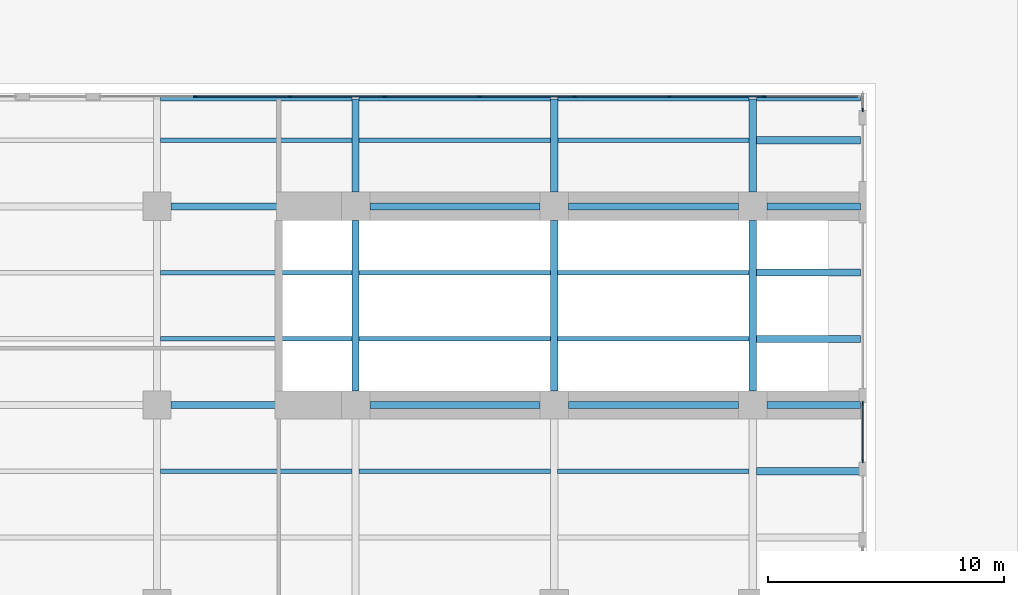
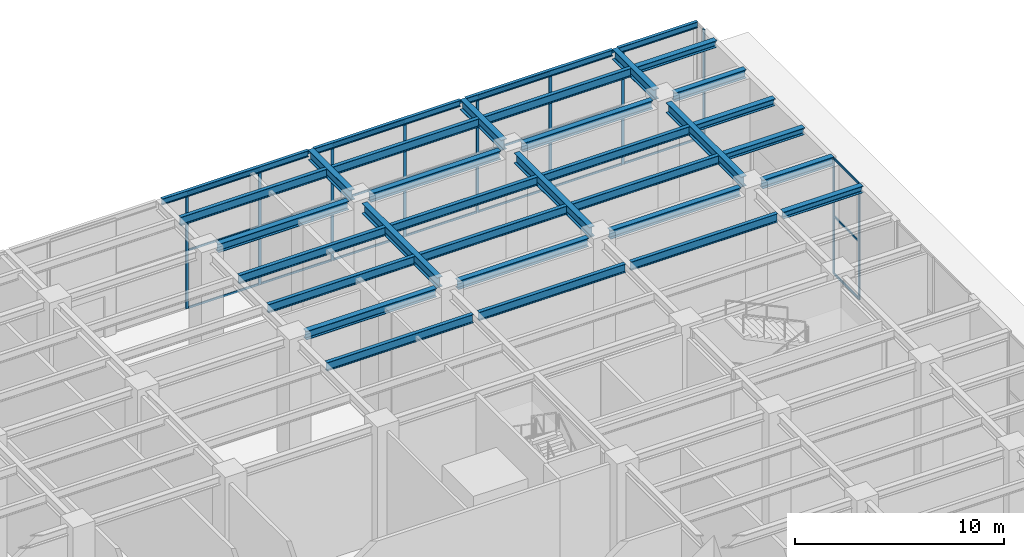
# One storey, part 22 of 43: 34 beams, 32 members, 3 elements without a shape of their own.
"""IFC4 building model written with IfcOpenShell, lengths in metres."""

from ifc_helpers import new_model, si_unit, direction, frame, origin, origin_2d, place, context, subcontext, project, spatial, rectangle, i_section, extrude, material, material_profile, profile_set, type_object, element, aggregate, save


model = new_model("IFC4")

# Units and contexts
model_context = context("Model", 3, precision=1e-05, world=origin(), true_north=direction((0.0, 1.0)))
body_context = subcontext(model_context, "Body", "Model", "MODEL_VIEW")
ifc_project = project(units=[si_unit("LENGTHUNIT", "METRE"), si_unit("AREAUNIT", "SQUARE_METRE"), si_unit("VOLUMEUNIT", "CUBIC_METRE"), si_unit("PLANEANGLEUNIT", "RADIAN"), si_unit("MASSUNIT", "GRAM", prefix="KILO")], contexts=[model_context])

# Site, building, storey
site_placement = place(None, origin())
site = spatial("IfcSite", under=ifc_project, at=site_placement, CompositionType="ELEMENT")
building_placement = place(site_placement, origin())
building = spatial("IfcBuilding", under=site, at=building_placement, Name="Khepri Terraces", CompositionType="ELEMENT")
storey_placement = place(building_placement, origin())
storey = spatial("IfcBuildingStorey", under=building, at=storey_placement, Name="L00", CompositionType="ELEMENT", Elevation=0.0)

# Curtain wall, members
ifc_material_1 = material(Name="Anodised aluminium bronze curtain wall", Category="aluminium")
curtain_wall_type = type_object("IfcCurtainWallType", Name="CW-SYS1-LOBBY", PredefinedType="NOTDEFINED", material=ifc_material_1)
curtain_wall_1_placement = place(storey_placement, origin())
curtain_wall_1 = element("IfcCurtainWall", 1, at=curtain_wall_1_placement, inside=storey, type_object=curtain_wall_type, Name="Curtain wall CW1 L00 E", PredefinedType="NOTDEFINED")
ifc_material_2 = material(Name="Anodised aluminium bronze", Category="aluminium")
ifc_material_profile_1 = material_profile(ifc_material_2, rectangle(XDim=0.06005859375, YDim=0.159912109375, at=origin_2d()), Name="Anodised aluminium bronze", Category="aluminium")
ifc_profile_set_1 = profile_set([ifc_material_profile_1], Name="Anodised aluminium bronze")
member_type_1 = type_object("IfcMemberType", Name="CW-MULLION-60x160", PredefinedType="MULLION", material=ifc_profile_set_1)
member_1_placement = place(storey_placement, frame((46.64990234375, 31.22998046875, 0.0), z_axis=(0.0, 0.0, 1.0), x_axis=(-1.0, 0.0, 0.0)))
member_1 = element("IfcMember", 2, at=member_1_placement, type_object=member_type_1, Name="CW1 mullion 1", PredefinedType="MULLION", context=body_context, shape_type="SweptSolid", body=[
    extrude(rectangle(XDim=0.06005859375, YDim=0.159912109375, at=origin_2d()), origin(), (0.0, 0.0, 1.0), 6.780029296875),
])
member_2_placement = place(storey_placement, frame((46.64990234375, 33.669921875, 0.0), z_axis=(0.0, 0.0, 1.0), x_axis=(-1.0, 0.0, 0.0)))
member_2 = element("IfcMember", 3, at=member_2_placement, type_object=member_type_1, Name="CW1 mullion 2", PredefinedType="MULLION", context=body_context, shape_type="SweptSolid", body=[
    extrude(rectangle(XDim=0.06005859375, YDim=0.159912109375, at=origin_2d()), origin(), (0.0, 0.0, 1.0), 6.780029296875),
])

# Curtain wall, member
curtain_wall_2_placement = place(storey_placement, origin())
curtain_wall_2 = element("IfcCurtainWall", 4, at=curtain_wall_2_placement, inside=storey, type_object=curtain_wall_type, Name="Curtain wall CW1 L00 E", PredefinedType="NOTDEFINED")
member_3_placement = place(storey_placement, frame((46.64990234375, 46.080078125, 0.0), z_axis=(0.0, 0.0, 1.0), x_axis=(-1.0, 0.0, 0.0)))
member_3 = element("IfcMember", 5, at=member_3_placement, type_object=member_type_1, Name="CW1 mullion 1", PredefinedType="MULLION", context=body_context, shape_type="SweptSolid", body=[
    extrude(rectangle(XDim=0.06005859375, YDim=0.159912109375, at=origin_2d()), origin(), (0.0, 0.0, 1.0), 6.780029296875),
])
aggregate(curtain_wall_2, [member_3])

# Curtain wall, members
curtain_wall_3_placement = place(storey_placement, origin())
curtain_wall_3 = element("IfcCurtainWall", 6, at=curtain_wall_3_placement, inside=storey, type_object=curtain_wall_type, Name="Curtain wall CW1 L00 N", PredefinedType="NOTDEFINED")
member_4_placement = place(storey_placement, frame((42.487548828125, 46.64990234375, 0.0), z_axis=(0.0, 0.0, 1.0), x_axis=(0.0, -1.0, 0.0)))
member_4 = element("IfcMember", 7, at=member_4_placement, type_object=member_type_1, Name="CW1 mullion 2", PredefinedType="MULLION", context=body_context, shape_type="SweptSolid", body=[
    extrude(rectangle(XDim=0.06005859375, YDim=0.159912109375, at=origin_2d()), origin(), (0.0, 0.0, 1.0), 6.780029296875),
])
member_5_placement = place(storey_placement, frame((38.47509765625, 46.64990234375, 0.0), z_axis=(0.0, 0.0, 1.0), x_axis=(0.0, -1.0, 0.0)))
member_5 = element("IfcMember", 8, at=member_5_placement, type_object=member_type_1, Name="CW1 mullion 3", PredefinedType="MULLION", context=body_context, shape_type="SweptSolid", body=[
    extrude(rectangle(XDim=0.06005859375, YDim=0.159912109375, at=origin_2d()), origin(), (0.0, 0.0, 1.0), 6.780029296875),
])
member_6_placement = place(storey_placement, frame((34.46240234375, 46.64990234375, 0.0), z_axis=(0.0, 0.0, 1.0), x_axis=(0.0, -1.0, 0.0)))
member_6 = element("IfcMember", 9, at=member_6_placement, type_object=member_type_1, Name="CW1 mullion 4", PredefinedType="MULLION", context=body_context, shape_type="SweptSolid", body=[
    extrude(rectangle(XDim=0.06005859375, YDim=0.159912109375, at=origin_2d()), origin(), (0.0, 0.0, 1.0), 6.780029296875),
])
member_7_placement = place(storey_placement, frame((30.449951171875, 46.64990234375, 0.0), z_axis=(0.0, 0.0, 1.0), x_axis=(0.0, -1.0, 0.0)))
member_7 = element("IfcMember", 10, at=member_7_placement, type_object=member_type_1, Name="CW1 mullion 5", PredefinedType="MULLION", context=body_context, shape_type="SweptSolid", body=[
    extrude(rectangle(XDim=0.06005859375, YDim=0.159912109375, at=origin_2d()), origin(), (0.0, 0.0, 1.0), 6.780029296875),
])
member_8_placement = place(storey_placement, frame((26.4375, 46.64990234375, 0.0), z_axis=(0.0, 0.0, 1.0), x_axis=(0.0, -1.0, 0.0)))
member_8 = element("IfcMember", 11, at=member_8_placement, type_object=member_type_1, Name="CW1 mullion 6", PredefinedType="MULLION", context=body_context, shape_type="SweptSolid", body=[
    extrude(rectangle(XDim=0.06005859375, YDim=0.159912109375, at=origin_2d()), origin(), (0.0, 0.0, 1.0), 6.780029296875),
])
member_9_placement = place(storey_placement, frame((22.425048828125, 46.64990234375, 0.0), z_axis=(0.0, 0.0, 1.0), x_axis=(0.0, -1.0, 0.0)))
member_9 = element("IfcMember", 12, at=member_9_placement, type_object=member_type_1, Name="CW1 mullion 7", PredefinedType="MULLION", context=body_context, shape_type="SweptSolid", body=[
    extrude(rectangle(XDim=0.06005859375, YDim=0.159912109375, at=origin_2d()), origin(), (0.0, 0.0, 1.0), 6.780029296875),
])
member_10_placement = place(storey_placement, frame((18.41259765625, 46.64990234375, 0.0), z_axis=(0.0, 0.0, 1.0), x_axis=(0.0, -1.0, 0.0)))
member_10 = element("IfcMember", 13, at=member_10_placement, type_object=member_type_1, Name="CW1 mullion 8", PredefinedType="MULLION", context=body_context, shape_type="SweptSolid", body=[
    extrude(rectangle(XDim=0.06005859375, YDim=0.159912109375, at=origin_2d()), origin(), (0.0, 0.0, 1.0), 6.780029296875),
])

# Member
ifc_material_profile_2 = material_profile(ifc_material_2, rectangle(XDim=0.06005859375, YDim=0.1201171875, at=origin_2d()), Name="Anodised aluminium bronze", Category="aluminium")
ifc_profile_set_2 = profile_set([ifc_material_profile_2], Name="Anodised aluminium bronze")
member_type_2 = type_object("IfcMemberType", Name="CW-TRANSOM-60x120", PredefinedType="USERDEFINED", material=ifc_profile_set_2)
member_11_placement = place(storey_placement, frame((46.64990234375, 31.260009765625, 0.030029296875), z_axis=(0.0, 1.0, 0.0), x_axis=(-1.0, 0.0, 0.0)))
member_11 = element("IfcMember", 14, at=member_11_placement, type_object=member_type_2, Name="CW1 transom 1.1", ObjectType="TRANSOM", PredefinedType="USERDEFINED", context=body_context, shape_type="SweptSolid", body=[
    extrude(rectangle(XDim=0.06005859375, YDim=0.1201171875, at=origin_2d()), origin(), (0.0, 0.0, 1.0), 2.3798828125),
])

member_12_placement = place(storey_placement, frame((46.64990234375, 31.260009765625, 3.389892578125), z_axis=(0.0, 1.0, 0.0), x_axis=(-1.0, 0.0, 0.0)))
member_12 = element("IfcMember", 15, at=member_12_placement, type_object=member_type_2, Name="CW1 transom 1.2", ObjectType="TRANSOM", PredefinedType="USERDEFINED", context=body_context, shape_type="SweptSolid", body=[
    extrude(rectangle(XDim=0.06005859375, YDim=0.1201171875, at=origin_2d()), origin(), (0.0, 0.0, 1.0), 2.3798828125),
])

member_13_placement = place(storey_placement, frame((46.64990234375, 31.260009765625, 6.75), z_axis=(0.0, 1.0, 0.0), x_axis=(-1.0, 0.0, 0.0)))
member_13 = element("IfcMember", 16, at=member_13_placement, type_object=member_type_2, Name="CW1 transom 1.3", ObjectType="TRANSOM", PredefinedType="USERDEFINED", context=body_context, shape_type="SweptSolid", body=[
    extrude(rectangle(XDim=0.06005859375, YDim=0.1201171875, at=origin_2d()), origin(), (0.0, 0.0, 1.0), 2.3798828125),
])

aggregate(curtain_wall_1, [member_1, member_2, member_11, member_12, member_13])

member_14_placement = place(storey_placement, frame((46.43994140625, 46.64990234375, 0.030029296875), z_axis=(-1.0, 0.0, 0.0), x_axis=(0.0, -1.0, 0.0)))
member_14 = element("IfcMember", 17, at=member_14_placement, type_object=member_type_2, Name="CW1 transom 1.1", ObjectType="TRANSOM", PredefinedType="USERDEFINED", context=body_context, shape_type="SweptSolid", body=[
    extrude(rectangle(XDim=0.06005859375, YDim=0.1201171875, at=origin_2d()), origin(), (0.0, 0.0, 1.0), 3.92236328125),
])

member_15_placement = place(storey_placement, frame((42.45751953125, 46.64990234375, 0.030029296875), z_axis=(-1.0, 0.0, 0.0), x_axis=(0.0, -1.0, 0.0)))
member_15 = element("IfcMember", 18, at=member_15_placement, type_object=member_type_2, Name="CW1 transom 2.1", ObjectType="TRANSOM", PredefinedType="USERDEFINED", context=body_context, shape_type="SweptSolid", body=[
    extrude(rectangle(XDim=0.06005859375, YDim=0.1201171875, at=origin_2d()), origin(), (0.0, 0.0, 1.0), 3.95263671875),
])

member_16_placement = place(storey_placement, frame((42.45751953125, 46.64990234375, 3.389892578125), z_axis=(-1.0, 0.0, 0.0), x_axis=(0.0, -1.0, 0.0)))
member_16 = element("IfcMember", 19, at=member_16_placement, type_object=member_type_2, Name="CW1 transom 2.2", ObjectType="TRANSOM", PredefinedType="USERDEFINED", context=body_context, shape_type="SweptSolid", body=[
    extrude(rectangle(XDim=0.06005859375, YDim=0.1201171875, at=origin_2d()), origin(), (0.0, 0.0, 1.0), 3.95263671875),
])

member_17_placement = place(storey_placement, frame((42.45751953125, 46.64990234375, 6.75), z_axis=(-1.0, 0.0, 0.0), x_axis=(0.0, -1.0, 0.0)))
member_17 = element("IfcMember", 20, at=member_17_placement, type_object=member_type_2, Name="CW1 transom 2.3", ObjectType="TRANSOM", PredefinedType="USERDEFINED", context=body_context, shape_type="SweptSolid", body=[
    extrude(rectangle(XDim=0.06005859375, YDim=0.1201171875, at=origin_2d()), origin(), (0.0, 0.0, 1.0), 3.95263671875),
])

member_18_placement = place(storey_placement, frame((38.445068359375, 46.64990234375, 0.030029296875), z_axis=(-1.0, 0.0, 0.0), x_axis=(0.0, -1.0, 0.0)))
member_18 = element("IfcMember", 21, at=member_18_placement, type_object=member_type_2, Name="CW1 transom 3.1", ObjectType="TRANSOM", PredefinedType="USERDEFINED", context=body_context, shape_type="SweptSolid", body=[
    extrude(rectangle(XDim=0.06005859375, YDim=0.1201171875, at=origin_2d()), origin(), (0.0, 0.0, 1.0), 3.95263671875),
])

member_19_placement = place(storey_placement, frame((38.445068359375, 46.64990234375, 3.389892578125), z_axis=(-1.0, 0.0, 0.0), x_axis=(0.0, -1.0, 0.0)))
member_19 = element("IfcMember", 22, at=member_19_placement, type_object=member_type_2, Name="CW1 transom 3.2", ObjectType="TRANSOM", PredefinedType="USERDEFINED", context=body_context, shape_type="SweptSolid", body=[
    extrude(rectangle(XDim=0.06005859375, YDim=0.1201171875, at=origin_2d()), origin(), (0.0, 0.0, 1.0), 3.95263671875),
])

member_20_placement = place(storey_placement, frame((38.445068359375, 46.64990234375, 6.75), z_axis=(-1.0, 0.0, 0.0), x_axis=(0.0, -1.0, 0.0)))
member_20 = element("IfcMember", 23, at=member_20_placement, type_object=member_type_2, Name="CW1 transom 3.3", ObjectType="TRANSOM", PredefinedType="USERDEFINED", context=body_context, shape_type="SweptSolid", body=[
    extrude(rectangle(XDim=0.06005859375, YDim=0.1201171875, at=origin_2d()), origin(), (0.0, 0.0, 1.0), 3.95263671875),
])

member_21_placement = place(storey_placement, frame((34.4326171875, 46.64990234375, 0.030029296875), z_axis=(-1.0, 0.0, 0.0), x_axis=(0.0, -1.0, 0.0)))
member_21 = element("IfcMember", 24, at=member_21_placement, type_object=member_type_2, Name="CW1 transom 4.1", ObjectType="TRANSOM", PredefinedType="USERDEFINED", context=body_context, shape_type="SweptSolid", body=[
    extrude(rectangle(XDim=0.06005859375, YDim=0.1201171875, at=origin_2d()), origin(), (0.0, 0.0, 1.0), 3.95263671875),
])

member_22_placement = place(storey_placement, frame((34.4326171875, 46.64990234375, 3.389892578125), z_axis=(-1.0, 0.0, 0.0), x_axis=(0.0, -1.0, 0.0)))
member_22 = element("IfcMember", 25, at=member_22_placement, type_object=member_type_2, Name="CW1 transom 4.2", ObjectType="TRANSOM", PredefinedType="USERDEFINED", context=body_context, shape_type="SweptSolid", body=[
    extrude(rectangle(XDim=0.06005859375, YDim=0.1201171875, at=origin_2d()), origin(), (0.0, 0.0, 1.0), 3.95263671875),
])

member_23_placement = place(storey_placement, frame((34.4326171875, 46.64990234375, 6.75), z_axis=(-1.0, 0.0, 0.0), x_axis=(0.0, -1.0, 0.0)))
member_23 = element("IfcMember", 26, at=member_23_placement, type_object=member_type_2, Name="CW1 transom 4.3", ObjectType="TRANSOM", PredefinedType="USERDEFINED", context=body_context, shape_type="SweptSolid", body=[
    extrude(rectangle(XDim=0.06005859375, YDim=0.1201171875, at=origin_2d()), origin(), (0.0, 0.0, 1.0), 3.95263671875),
])

member_24_placement = place(storey_placement, frame((30.419921875, 46.64990234375, 0.030029296875), z_axis=(-1.0, 0.0, 0.0), x_axis=(0.0, -1.0, 0.0)))
member_24 = element("IfcMember", 27, at=member_24_placement, type_object=member_type_2, Name="CW1 transom 5.1", ObjectType="TRANSOM", PredefinedType="USERDEFINED", context=body_context, shape_type="SweptSolid", body=[
    extrude(rectangle(XDim=0.06005859375, YDim=0.1201171875, at=origin_2d()), origin(), (0.0, 0.0, 1.0), 3.952392578125),
])

member_25_placement = place(storey_placement, frame((30.419921875, 46.64990234375, 3.389892578125), z_axis=(-1.0, 0.0, 0.0), x_axis=(0.0, -1.0, 0.0)))
member_25 = element("IfcMember", 28, at=member_25_placement, type_object=member_type_2, Name="CW1 transom 5.2", ObjectType="TRANSOM", PredefinedType="USERDEFINED", context=body_context, shape_type="SweptSolid", body=[
    extrude(rectangle(XDim=0.06005859375, YDim=0.1201171875, at=origin_2d()), origin(), (0.0, 0.0, 1.0), 3.952392578125),
])

member_26_placement = place(storey_placement, frame((30.419921875, 46.64990234375, 6.75), z_axis=(-1.0, 0.0, 0.0), x_axis=(0.0, -1.0, 0.0)))
member_26 = element("IfcMember", 29, at=member_26_placement, type_object=member_type_2, Name="CW1 transom 5.3", ObjectType="TRANSOM", PredefinedType="USERDEFINED", context=body_context, shape_type="SweptSolid", body=[
    extrude(rectangle(XDim=0.06005859375, YDim=0.1201171875, at=origin_2d()), origin(), (0.0, 0.0, 1.0), 3.952392578125),
])

member_27_placement = place(storey_placement, frame((26.407470703125, 46.64990234375, 0.030029296875), z_axis=(-1.0, 0.0, 0.0), x_axis=(0.0, -1.0, 0.0)))
member_27 = element("IfcMember", 30, at=member_27_placement, type_object=member_type_2, Name="CW1 transom 6.1", ObjectType="TRANSOM", PredefinedType="USERDEFINED", context=body_context, shape_type="SweptSolid", body=[
    extrude(rectangle(XDim=0.06005859375, YDim=0.1201171875, at=origin_2d()), origin(), (0.0, 0.0, 1.0), 3.952392578125),
])

member_28_placement = place(storey_placement, frame((26.407470703125, 46.64990234375, 3.389892578125), z_axis=(-1.0, 0.0, 0.0), x_axis=(0.0, -1.0, 0.0)))
member_28 = element("IfcMember", 31, at=member_28_placement, type_object=member_type_2, Name="CW1 transom 6.2", ObjectType="TRANSOM", PredefinedType="USERDEFINED", context=body_context, shape_type="SweptSolid", body=[
    extrude(rectangle(XDim=0.06005859375, YDim=0.1201171875, at=origin_2d()), origin(), (0.0, 0.0, 1.0), 3.952392578125),
])

member_29_placement = place(storey_placement, frame((26.407470703125, 46.64990234375, 6.75), z_axis=(-1.0, 0.0, 0.0), x_axis=(0.0, -1.0, 0.0)))
member_29 = element("IfcMember", 32, at=member_29_placement, type_object=member_type_2, Name="CW1 transom 6.3", ObjectType="TRANSOM", PredefinedType="USERDEFINED", context=body_context, shape_type="SweptSolid", body=[
    extrude(rectangle(XDim=0.06005859375, YDim=0.1201171875, at=origin_2d()), origin(), (0.0, 0.0, 1.0), 3.952392578125),
])

member_30_placement = place(storey_placement, frame((22.39501953125, 46.64990234375, 0.030029296875), z_axis=(-1.0, 0.0, 0.0), x_axis=(0.0, -1.0, 0.0)))
member_30 = element("IfcMember", 33, at=member_30_placement, type_object=member_type_2, Name="CW1 transom 7.1", ObjectType="TRANSOM", PredefinedType="USERDEFINED", context=body_context, shape_type="SweptSolid", body=[
    extrude(rectangle(XDim=0.06005859375, YDim=0.1201171875, at=origin_2d()), origin(), (0.0, 0.0, 1.0), 3.95263671875),
])

member_31_placement = place(storey_placement, frame((22.39501953125, 46.64990234375, 3.389892578125), z_axis=(-1.0, 0.0, 0.0), x_axis=(0.0, -1.0, 0.0)))
member_31 = element("IfcMember", 34, at=member_31_placement, type_object=member_type_2, Name="CW1 transom 7.2", ObjectType="TRANSOM", PredefinedType="USERDEFINED", context=body_context, shape_type="SweptSolid", body=[
    extrude(rectangle(XDim=0.06005859375, YDim=0.1201171875, at=origin_2d()), origin(), (0.0, 0.0, 1.0), 3.95263671875),
])

member_32_placement = place(storey_placement, frame((22.39501953125, 46.64990234375, 6.75), z_axis=(-1.0, 0.0, 0.0), x_axis=(0.0, -1.0, 0.0)))
member_32 = element("IfcMember", 35, at=member_32_placement, type_object=member_type_2, Name="CW1 transom 7.3", ObjectType="TRANSOM", PredefinedType="USERDEFINED", context=body_context, shape_type="SweptSolid", body=[
    extrude(rectangle(XDim=0.06005859375, YDim=0.1201171875, at=origin_2d()), origin(), (0.0, 0.0, 1.0), 3.95263671875),
])

aggregate(curtain_wall_3, [member_4, member_5, member_6, member_7, member_8, member_9, member_10, member_14, member_15, member_16, member_17, member_18, member_19, member_20, member_21, member_22, member_23, member_24, member_25, member_26, member_27, member_28, member_29, member_30, member_31, member_32])

# Beams
ifc_material_3 = material(Name="Steel S355", Category="steel")
ifc_material_profile_3 = material_profile(ifc_material_3, i_section(OverallWidth=0.169921875, OverallDepth=0.360107421875, WebThickness=0.008056640625, FlangeThickness=0.0126953125, FilletRadius=0.01806640625, at=origin_2d()), Name="Steel S355", Category="steel")
ifc_profile_set_3 = profile_set([ifc_material_profile_3], Name="Steel S355")
beam_type_1 = type_object("IfcBeamType", Name="Podium cantilever edge beam L01 IPE 360", PredefinedType="SPANDREL", material=ifc_profile_set_3)
beam_1_placement = place(storey_placement, frame((42.14990234375, 46.550048828125, 6.820068359375), z_axis=(1.0, 0.0, 0.0), x_axis=(0.0, 1.0, 0.0)))
element("IfcBeam", 36, at=beam_1_placement, inside=storey, type_object=beam_type_1, Name="Podium edge beam L01 024", PredefinedType="SPANDREL", context=body_context, shape_type="SweptSolid", body=[
    extrude(i_section(OverallWidth=0.169921875, OverallDepth=0.360107421875, WebThickness=0.008056640625, FlangeThickness=0.0126953125, FilletRadius=0.01806640625, at=origin_2d()), origin(), (0.0, 0.0, 1.0), 4.400146484375),
])
ifc_material_profile_4 = material_profile(ifc_material_3, i_section(OverallWidth=0.300048828125, OverallDepth=0.60009765625, WebThickness=0.015380859375, FlangeThickness=0.030029296875, FilletRadius=0.027099609375, at=origin_2d()), Name="Steel S355", Category="steel")
ifc_profile_set_4 = profile_set([ifc_material_profile_4], Name="Steel S355")
beam_type_2 = type_object("IfcBeamType", Name="Podium cantilever girder L01 HEB 600", PredefinedType="BEAM", material=ifc_profile_set_4)
for number, where, z_axis, x_axis, name in (
    (37, (25.199951171875, 42.60009765625, 6.699951171875), (0.0, 1.0, 0.0), (-1.0, 0.0, 0.0), "Podium girder L01 074"),
    (38, (33.60009765625, 42.60009765625, 6.699951171875), (0.0, 1.0, 0.0), (-1.0, 0.0, 0.0), "Podium girder L01 086"),
    (39, (42.0, 42.60009765625, 6.699951171875), (0.0, 1.0, 0.0), (-1.0, 0.0, 0.0), "Podium girder L01 098"),
):
    element("IfcBeam", number, at=place(storey_placement, frame(where, z_axis=z_axis, x_axis=x_axis)), inside=storey, type_object=beam_type_2, Name=name, PredefinedType="BEAM", context=body_context, shape_type="SweptSolid", body=[
        extrude(i_section(OverallWidth=0.300048828125, OverallDepth=0.60009765625, WebThickness=0.015380859375, FlangeThickness=0.030029296875, FilletRadius=0.027099609375, at=origin_2d()), origin(), (0.0, 0.0, 1.0), 3.949951171875),
    ])
ifc_material_profile_5 = material_profile(ifc_material_3, i_section(OverallWidth=0.300048828125, OverallDepth=0.39990234375, WebThickness=0.013427734375, FlangeThickness=0.02392578125, FilletRadius=0.027099609375, at=origin_2d()), Name="Steel S355", Category="steel")
ifc_profile_set_5 = profile_set([ifc_material_profile_5], Name="Steel S355")
beam_type_3 = type_object("IfcBeamType", Name="Podium cantilever joist L01 HEB 400", PredefinedType="JOIST", material=ifc_profile_set_5)
for number, where, z_axis, x_axis, name in (
    (40, (42.14990234375, 30.800048828125, 6.800048828125), (1.0, 0.0, 0.0), (0.0, 1.0, 0.0), "Podium cantilever joist L01 218"),
    (41, (42.14990234375, 36.39990234375, 6.800048828125), (1.0, 0.0, 0.0), (0.0, 1.0, 0.0), "Podium cantilever joist L01 242"),
    (42, (42.14990234375, 39.199951171875, 6.800048828125), (1.0, 0.0, 0.0), (0.0, 1.0, 0.0), "Podium cantilever joist L01 254"),
    (43, (42.14990234375, 44.800048828125, 6.800048828125), (1.0, 0.0, 0.0), (0.0, 1.0, 0.0), "Podium cantilever joist L01 278"),
):
    element("IfcBeam", number, at=place(storey_placement, frame(where, z_axis=z_axis, x_axis=x_axis)), inside=storey, type_object=beam_type_3, Name=name, PredefinedType="JOIST", context=body_context, shape_type="SweptSolid", body=[
        extrude(i_section(OverallWidth=0.300048828125, OverallDepth=0.39990234375, WebThickness=0.013427734375, FlangeThickness=0.02392578125, FilletRadius=0.027099609375, at=origin_2d()), origin(), (0.0, 0.0, 1.0), 4.400146484375),
    ])
ifc_material_profile_6 = material_profile(ifc_material_3, i_section(OverallWidth=0.169921875, OverallDepth=0.360107421875, WebThickness=0.008056640625, FlangeThickness=0.0126953125, FilletRadius=0.01806640625, at=origin_2d()), Name="Steel S355", Category="steel")
ifc_profile_set_6 = profile_set([ifc_material_profile_6], Name="Steel S355")
beam_type_4 = type_object("IfcBeamType", Name="Podium edge beam L01 IPE 360", PredefinedType="SPANDREL", material=ifc_profile_set_6)
beam_2_placement = place(storey_placement, frame((16.949951171875, 46.550048828125, 6.820068359375), z_axis=(1.0, 0.0, 0.0), x_axis=(0.0, 1.0, 0.0)))
element("IfcBeam", 44, at=beam_2_placement, inside=storey, type_object=beam_type_4, Name="Podium edge beam L01 021", PredefinedType="SPANDREL", context=body_context, shape_type="SweptSolid", body=[
    extrude(i_section(OverallWidth=0.169921875, OverallDepth=0.360107421875, WebThickness=0.008056640625, FlangeThickness=0.0126953125, FilletRadius=0.01806640625, at=origin_2d()), origin(), (0.0, 0.0, 1.0), 8.10009765625),
])
beam_3_placement = place(storey_placement, frame((25.35009765625, 46.550048828125, 6.820068359375), z_axis=(1.0, 0.0, 0.0), x_axis=(0.0, 1.0, 0.0)))
element("IfcBeam", 45, at=beam_3_placement, inside=storey, type_object=beam_type_4, Name="Podium edge beam L01 022", PredefinedType="SPANDREL", context=body_context, shape_type="SweptSolid", body=[
    extrude(i_section(OverallWidth=0.169921875, OverallDepth=0.360107421875, WebThickness=0.008056640625, FlangeThickness=0.0126953125, FilletRadius=0.01806640625, at=origin_2d()), origin(), (0.0, 0.0, 1.0), 8.099853515625),
])
beam_4_placement = place(storey_placement, frame((33.75, 46.550048828125, 6.820068359375), z_axis=(1.0, 0.0, 0.0), x_axis=(0.0, 1.0, 0.0)))
element("IfcBeam", 46, at=beam_4_placement, inside=storey, type_object=beam_type_4, Name="Podium edge beam L01 023", PredefinedType="SPANDREL", context=body_context, shape_type="SweptSolid", body=[
    extrude(i_section(OverallWidth=0.169921875, OverallDepth=0.360107421875, WebThickness=0.008056640625, FlangeThickness=0.0126953125, FilletRadius=0.01806640625, at=origin_2d()), origin(), (0.0, 0.0, 1.0), 8.10009765625),
])
ifc_material_profile_7 = material_profile(ifc_material_3, i_section(OverallWidth=0.300048828125, OverallDepth=0.60009765625, WebThickness=0.015380859375, FlangeThickness=0.030029296875, FilletRadius=0.027099609375, at=origin_2d()), Name="Steel S355", Category="steel")
ifc_profile_set_7 = profile_set([ifc_material_profile_7], Name="Steel S355")
beam_type_5 = type_object("IfcBeamType", Name="Podium girder L01 HEB 600", PredefinedType="BEAM", material=ifc_profile_set_7)
for number, where, z_axis, x_axis, name in (
    (47, (25.199951171875, 34.199951171875, 6.699951171875), (0.0, 1.0, 0.0), (-1.0, 0.0, 0.0), "Podium girder L01 073"),
    (48, (33.60009765625, 34.199951171875, 6.699951171875), (0.0, 1.0, 0.0), (-1.0, 0.0, 0.0), "Podium girder L01 085"),
    (49, (42.0, 34.199951171875, 6.699951171875), (0.0, 1.0, 0.0), (-1.0, 0.0, 0.0), "Podium girder L01 097"),
):
    element("IfcBeam", number, at=place(storey_placement, frame(where, z_axis=z_axis, x_axis=x_axis)), inside=storey, type_object=beam_type_5, Name=name, PredefinedType="BEAM", context=body_context, shape_type="SweptSolid", body=[
        extrude(i_section(OverallWidth=0.300048828125, OverallDepth=0.60009765625, WebThickness=0.015380859375, FlangeThickness=0.030029296875, FilletRadius=0.027099609375, at=origin_2d()), origin(), (0.0, 0.0, 1.0), 7.199951171875),
    ])
ifc_material_profile_8 = material_profile(ifc_material_3, i_section(OverallWidth=0.300048828125, OverallDepth=0.5, WebThickness=0.014404296875, FlangeThickness=0.028076171875, FilletRadius=0.027099609375, at=origin_2d()), Name="Steel S355", Category="steel")
ifc_profile_set_8 = profile_set([ifc_material_profile_8], Name="Steel S355")
beam_type_6 = type_object("IfcBeamType", Name="Podium girder L01 grid line HEB 500", PredefinedType="BEAM", material=ifc_profile_set_8)
beam_5_placement = place(storey_placement, frame((17.39990234375, 33.60009765625, 6.75), z_axis=(1.0, 0.0, 0.0), x_axis=(0.0, 1.0, 0.0)))
element("IfcBeam", 50, at=beam_5_placement, inside=storey, type_object=beam_type_6, Name="Podium grid-line girder L01 227", PredefinedType="BEAM", context=body_context, shape_type="SweptSolid", body=[
    extrude(i_section(OverallWidth=0.300048828125, OverallDepth=0.5, WebThickness=0.014404296875, FlangeThickness=0.028076171875, FilletRadius=0.027099609375, at=origin_2d()), origin(), (0.0, 0.0, 1.0), 7.2001953125),
])
for number, where, z_axis, x_axis, name in (
    (51, (25.800048828125, 33.60009765625, 6.75), (1.0, 0.0, 0.0), (0.0, 1.0, 0.0), "Podium grid-line girder L01 228"),
    (52, (34.199951171875, 33.60009765625, 6.75), (1.0, 0.0, 0.0), (0.0, 1.0, 0.0), "Podium grid-line girder L01 229"),
):
    element("IfcBeam", number, at=place(storey_placement, frame(where, z_axis=z_axis, x_axis=x_axis)), inside=storey, type_object=beam_type_6, Name=name, PredefinedType="BEAM", context=body_context, shape_type="SweptSolid", body=[
        extrude(i_section(OverallWidth=0.300048828125, OverallDepth=0.5, WebThickness=0.014404296875, FlangeThickness=0.028076171875, FilletRadius=0.027099609375, at=origin_2d()), origin(), (0.0, 0.0, 1.0), 7.199951171875),
    ])
beam_6_placement = place(storey_placement, frame((42.60009765625, 33.60009765625, 6.75), z_axis=(1.0, 0.0, 0.0), x_axis=(0.0, 1.0, 0.0)))
element("IfcBeam", 53, at=beam_6_placement, inside=storey, type_object=beam_type_6, Name="Podium grid-line girder L01 230", PredefinedType="BEAM", context=body_context, shape_type="SweptSolid", body=[
    extrude(i_section(OverallWidth=0.300048828125, OverallDepth=0.5, WebThickness=0.014404296875, FlangeThickness=0.028076171875, FilletRadius=0.027099609375, at=origin_2d()), origin(), (0.0, 0.0, 1.0), 3.949951171875),
])
beam_7_placement = place(storey_placement, frame((17.39990234375, 42.0, 6.75), z_axis=(1.0, 0.0, 0.0), x_axis=(0.0, 1.0, 0.0)))
element("IfcBeam", 54, at=beam_7_placement, inside=storey, type_object=beam_type_6, Name="Podium grid-line girder L01 263", PredefinedType="BEAM", context=body_context, shape_type="SweptSolid", body=[
    extrude(i_section(OverallWidth=0.300048828125, OverallDepth=0.5, WebThickness=0.014404296875, FlangeThickness=0.028076171875, FilletRadius=0.027099609375, at=origin_2d()), origin(), (0.0, 0.0, 1.0), 7.2001953125),
])
for number, where, z_axis, x_axis, name in (
    (55, (25.800048828125, 42.0, 6.75), (1.0, 0.0, 0.0), (0.0, 1.0, 0.0), "Podium grid-line girder L01 264"),
    (56, (34.199951171875, 42.0, 6.75), (1.0, 0.0, 0.0), (0.0, 1.0, 0.0), "Podium grid-line girder L01 265"),
):
    element("IfcBeam", number, at=place(storey_placement, frame(where, z_axis=z_axis, x_axis=x_axis)), inside=storey, type_object=beam_type_6, Name=name, PredefinedType="BEAM", context=body_context, shape_type="SweptSolid", body=[
        extrude(i_section(OverallWidth=0.300048828125, OverallDepth=0.5, WebThickness=0.014404296875, FlangeThickness=0.028076171875, FilletRadius=0.027099609375, at=origin_2d()), origin(), (0.0, 0.0, 1.0), 7.199951171875),
    ])
beam_8_placement = place(storey_placement, frame((42.60009765625, 42.0, 6.75), z_axis=(1.0, 0.0, 0.0), x_axis=(0.0, 1.0, 0.0)))
element("IfcBeam", 57, at=beam_8_placement, inside=storey, type_object=beam_type_6, Name="Podium grid-line girder L01 266", PredefinedType="BEAM", context=body_context, shape_type="SweptSolid", body=[
    extrude(i_section(OverallWidth=0.300048828125, OverallDepth=0.5, WebThickness=0.014404296875, FlangeThickness=0.028076171875, FilletRadius=0.027099609375, at=origin_2d()), origin(), (0.0, 0.0, 1.0), 3.949951171875),
])
ifc_material_profile_9 = material_profile(ifc_material_3, i_section(OverallWidth=0.199951171875, OverallDepth=0.5, WebThickness=0.01025390625, FlangeThickness=0.01611328125, FilletRadius=0.02099609375, at=origin_2d()), Name="Steel S355", Category="steel")
ifc_profile_set_9 = profile_set([ifc_material_profile_9], Name="Steel S355")
beam_type_7 = type_object("IfcBeamType", Name="Podium joist L01 IPE 500", PredefinedType="JOIST", material=ifc_profile_set_9)
beam_9_placement = place(storey_placement, frame((16.949951171875, 30.800048828125, 6.75), z_axis=(1.0, 0.0, 0.0), x_axis=(0.0, 1.0, 0.0)))
element("IfcBeam", 58, at=beam_9_placement, inside=storey, type_object=beam_type_7, Name="Podium joist L01 215", PredefinedType="JOIST", context=body_context, shape_type="SweptSolid", body=[
    extrude(i_section(OverallWidth=0.199951171875, OverallDepth=0.5, WebThickness=0.01025390625, FlangeThickness=0.01611328125, FilletRadius=0.02099609375, at=origin_2d()), origin(), (0.0, 0.0, 1.0), 8.10009765625),
])
beam_10_placement = place(storey_placement, frame((25.35009765625, 30.800048828125, 6.75), z_axis=(1.0, 0.0, 0.0), x_axis=(0.0, 1.0, 0.0)))
element("IfcBeam", 59, at=beam_10_placement, inside=storey, type_object=beam_type_7, Name="Podium joist L01 216", PredefinedType="JOIST", context=body_context, shape_type="SweptSolid", body=[
    extrude(i_section(OverallWidth=0.199951171875, OverallDepth=0.5, WebThickness=0.01025390625, FlangeThickness=0.01611328125, FilletRadius=0.02099609375, at=origin_2d()), origin(), (0.0, 0.0, 1.0), 8.099853515625),
])
for number, where, z_axis, x_axis, name in (
    (60, (33.75, 30.800048828125, 6.75), (1.0, 0.0, 0.0), (0.0, 1.0, 0.0), "Podium joist L01 217"),
    (61, (16.949951171875, 36.39990234375, 6.75), (1.0, 0.0, 0.0), (0.0, 1.0, 0.0), "Podium joist L01 239"),
):
    element("IfcBeam", number, at=place(storey_placement, frame(where, z_axis=z_axis, x_axis=x_axis)), inside=storey, type_object=beam_type_7, Name=name, PredefinedType="JOIST", context=body_context, shape_type="SweptSolid", body=[
        extrude(i_section(OverallWidth=0.199951171875, OverallDepth=0.5, WebThickness=0.01025390625, FlangeThickness=0.01611328125, FilletRadius=0.02099609375, at=origin_2d()), origin(), (0.0, 0.0, 1.0), 8.10009765625),
    ])
beam_11_placement = place(storey_placement, frame((25.35009765625, 36.39990234375, 6.75), z_axis=(1.0, 0.0, 0.0), x_axis=(0.0, 1.0, 0.0)))
element("IfcBeam", 62, at=beam_11_placement, inside=storey, type_object=beam_type_7, Name="Podium joist L01 240", PredefinedType="JOIST", context=body_context, shape_type="SweptSolid", body=[
    extrude(i_section(OverallWidth=0.199951171875, OverallDepth=0.5, WebThickness=0.01025390625, FlangeThickness=0.01611328125, FilletRadius=0.02099609375, at=origin_2d()), origin(), (0.0, 0.0, 1.0), 8.099853515625),
])
for number, where, z_axis, x_axis, name in (
    (63, (33.75, 36.39990234375, 6.75), (1.0, 0.0, 0.0), (0.0, 1.0, 0.0), "Podium joist L01 241"),
    (64, (16.949951171875, 39.199951171875, 6.75), (1.0, 0.0, 0.0), (0.0, 1.0, 0.0), "Podium joist L01 251"),
):
    element("IfcBeam", number, at=place(storey_placement, frame(where, z_axis=z_axis, x_axis=x_axis)), inside=storey, type_object=beam_type_7, Name=name, PredefinedType="JOIST", context=body_context, shape_type="SweptSolid", body=[
        extrude(i_section(OverallWidth=0.199951171875, OverallDepth=0.5, WebThickness=0.01025390625, FlangeThickness=0.01611328125, FilletRadius=0.02099609375, at=origin_2d()), origin(), (0.0, 0.0, 1.0), 8.10009765625),
    ])
beam_12_placement = place(storey_placement, frame((25.35009765625, 39.199951171875, 6.75), z_axis=(1.0, 0.0, 0.0), x_axis=(0.0, 1.0, 0.0)))
element("IfcBeam", 65, at=beam_12_placement, inside=storey, type_object=beam_type_7, Name="Podium joist L01 252", PredefinedType="JOIST", context=body_context, shape_type="SweptSolid", body=[
    extrude(i_section(OverallWidth=0.199951171875, OverallDepth=0.5, WebThickness=0.01025390625, FlangeThickness=0.01611328125, FilletRadius=0.02099609375, at=origin_2d()), origin(), (0.0, 0.0, 1.0), 8.099853515625),
])
for number, where, z_axis, x_axis, name in (
    (66, (33.75, 39.199951171875, 6.75), (1.0, 0.0, 0.0), (0.0, 1.0, 0.0), "Podium joist L01 253"),
    (67, (16.949951171875, 44.800048828125, 6.75), (1.0, 0.0, 0.0), (0.0, 1.0, 0.0), "Podium joist L01 275"),
):
    element("IfcBeam", number, at=place(storey_placement, frame(where, z_axis=z_axis, x_axis=x_axis)), inside=storey, type_object=beam_type_7, Name=name, PredefinedType="JOIST", context=body_context, shape_type="SweptSolid", body=[
        extrude(i_section(OverallWidth=0.199951171875, OverallDepth=0.5, WebThickness=0.01025390625, FlangeThickness=0.01611328125, FilletRadius=0.02099609375, at=origin_2d()), origin(), (0.0, 0.0, 1.0), 8.10009765625),
    ])
beam_13_placement = place(storey_placement, frame((25.35009765625, 44.800048828125, 6.75), z_axis=(1.0, 0.0, 0.0), x_axis=(0.0, 1.0, 0.0)))
element("IfcBeam", 68, at=beam_13_placement, inside=storey, type_object=beam_type_7, Name="Podium joist L01 276", PredefinedType="JOIST", context=body_context, shape_type="SweptSolid", body=[
    extrude(i_section(OverallWidth=0.199951171875, OverallDepth=0.5, WebThickness=0.01025390625, FlangeThickness=0.01611328125, FilletRadius=0.02099609375, at=origin_2d()), origin(), (0.0, 0.0, 1.0), 8.099853515625),
])
beam_14_placement = place(storey_placement, frame((33.75, 44.800048828125, 6.75), z_axis=(1.0, 0.0, 0.0), x_axis=(0.0, 1.0, 0.0)))
element("IfcBeam", 69, at=beam_14_placement, inside=storey, type_object=beam_type_7, Name="Podium joist L01 277", PredefinedType="JOIST", context=body_context, shape_type="SweptSolid", body=[
    extrude(i_section(OverallWidth=0.199951171875, OverallDepth=0.5, WebThickness=0.01025390625, FlangeThickness=0.01611328125, FilletRadius=0.02099609375, at=origin_2d()), origin(), (0.0, 0.0, 1.0), 8.10009765625),
])

save(model, "model.ifc")
